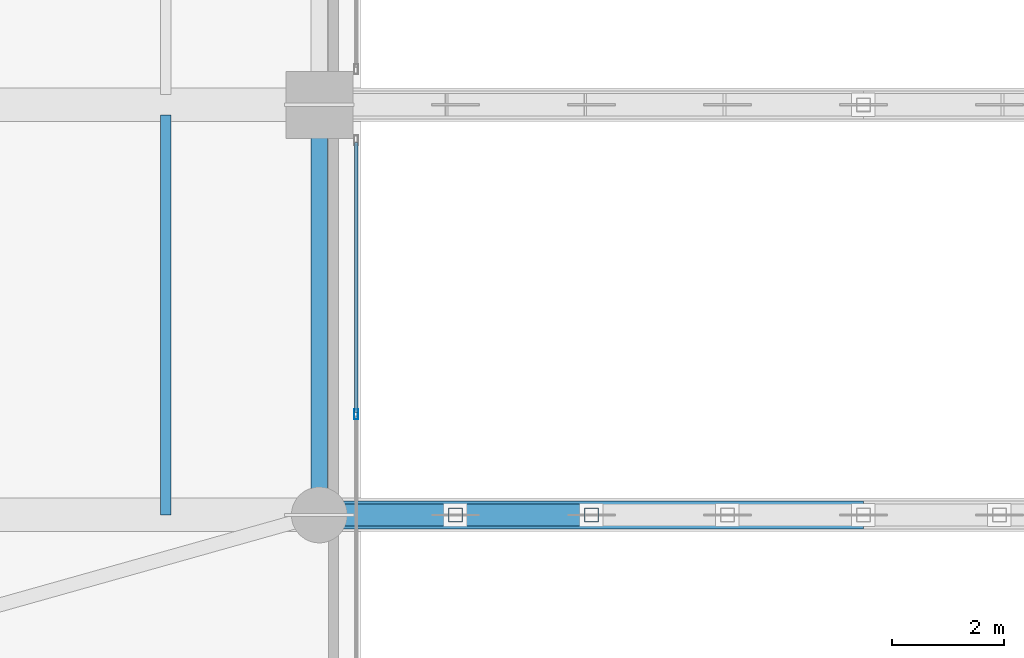
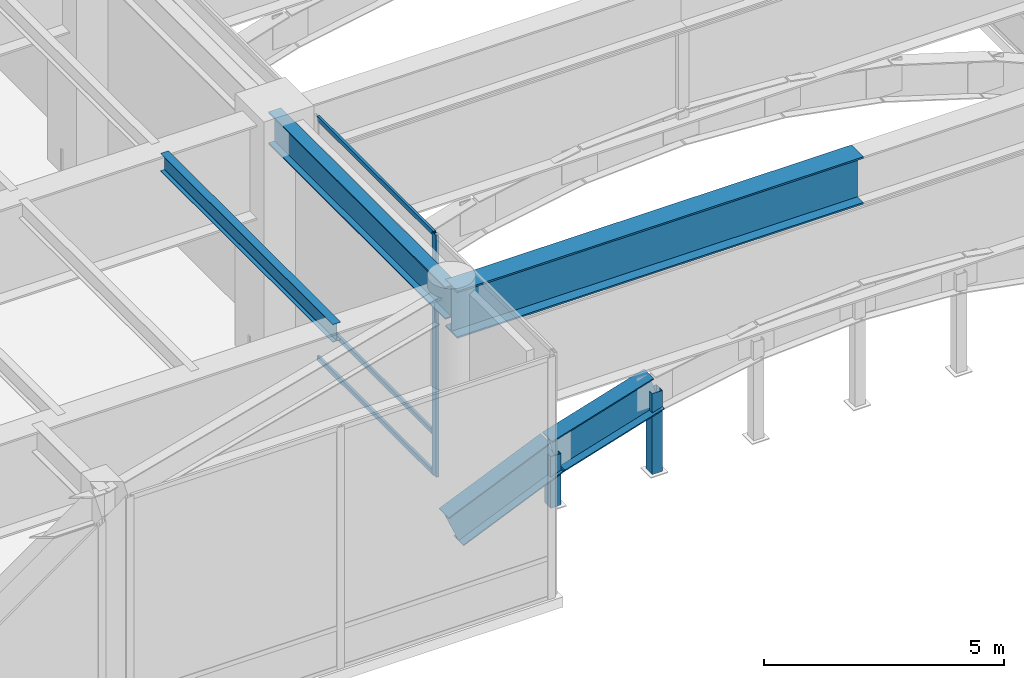
# One storey, part 8 of 50: 6 members, 5 beams, 1 element without a shape of its own.
"""IFC4 building model written with IfcOpenShell, lengths in metres."""

from ifc_helpers import new_model, si_unit, direction, frame, origin, origin_2d, place, context, subcontext, project, spatial, hollow_rectangle, i_section, extrude, source, transform, mapped, material, layer, layer_set, material_profile, profile_set, type_object, type_shapes, element, aggregate, save


model = new_model("IFC4")

# Units and contexts
model_context = context("Model", 3, precision=1e-05, world=origin(), true_north=direction((0.0, 1.0)))
body_context = subcontext(model_context, "Body", "Model", "MODEL_VIEW")
ifc_project = project(units=[si_unit("LENGTHUNIT", "METRE"), si_unit("AREAUNIT", "SQUARE_METRE"), si_unit("VOLUMEUNIT", "CUBIC_METRE"), si_unit("PLANEANGLEUNIT", "RADIAN"), si_unit("MASSUNIT", "GRAM", prefix="KILO")], contexts=[model_context])

# Site, building, storey
site_placement = place(None, origin())
site = spatial("IfcSite", under=ifc_project, at=site_placement, CompositionType="ELEMENT")
building_placement = place(site_placement, origin())
building = spatial("IfcBuilding", under=site, at=building_placement, Name="Tolvann Quenvar Hotel", CompositionType="ELEMENT")
storey_placement = place(building_placement, frame((0.0, 0.0, 16.0)))
storey = spatial("IfcBuildingStorey", under=building, at=storey_placement, Name="L03", CompositionType="ELEMENT", Elevation=16.0)

# Beams
ifc_material_1 = material(Name="Steel Grade 350", Category="steel")
ifc_material_profile_1 = material_profile(ifc_material_1, i_section(OverallWidth=0.300048828125, OverallDepth=0.81591796875, WebThickness=0.010009765625, FlangeThickness=0.028076171875, at=origin_2d()), Name="800WB192")
ifc_profile_set_1 = profile_set([ifc_material_profile_1], Name="Steel Grade 350")
beam_type_1 = type_object("IfcBeamType", Name="BM_GIRD_800WB192", PredefinedType="BEAM", material=ifc_profile_set_1)
shared_shape_1 = source(origin(), body_context, "Body", "SweptSolid", [
    extrude(i_section(OverallWidth=0.300048828125, OverallDepth=0.81591796875, WebThickness=0.010009765625, FlangeThickness=0.028076171875, at=origin_2d()), origin(), (0.0, 0.0, 1.0), 7.349853515625),
])
type_shapes(beam_type_1, [shared_shape_1])
beam_1_placement = place(storey_placement, frame((18.75, 0.85009765625, 5.73193359375), z_axis=(0.0, 1.0, 0.0), x_axis=(-1.0, 0.0, 0.0)))
element("IfcBeam", 1, at=beam_1_placement, inside=storey, type_object=beam_type_1, Name="BM-L03-NS-APW-0", PredefinedType="BEAM", context=body_context, shape_type="MappedRepresentation", body=[
    mapped(shared_shape_1, transform((0.0, 0.0, 0.0), x_axis=(1.0, 0.0, 0.0), y_axis=(0.0, 1.0, 0.0), z_axis=(0.0, 0.0, 1.0), scale=1.0)),
])
ifc_material_profile_2 = material_profile(ifc_material_1, i_section(OverallWidth=0.5, OverallDepth=1.199951171875, WebThickness=0.01611328125, FlangeThickness=0.0400390625, at=origin_2d()), Name="1200WB455")
ifc_profile_set_2 = profile_set([ifc_material_profile_2], Name="Steel Grade 350")
beam_type_2 = type_object("IfcBeamType", Name="BM_TG_1200WB455", PredefinedType="USERDEFINED", material=ifc_profile_set_2)
shared_shape_2 = source(origin(), body_context, "Body", "SweptSolid", [
    extrude(i_section(OverallWidth=0.5, OverallDepth=1.199951171875, WebThickness=0.01611328125, FlangeThickness=0.0400390625, at=origin_2d()), origin(), (0.0, 0.0, 1.0), 9.75),
])
type_shapes(beam_type_2, [shared_shape_2])
beam_2_placement = place(storey_placement, frame((18.75, 0.85009765625, 5.5400390625), z_axis=(1.0, 0.0, 0.0), x_axis=(0.0, 1.0, 0.0)))
element("IfcBeam", 2, at=beam_2_placement, inside=storey, type_object=beam_type_2, Name="TG-AUTO1-L03-PARCHS-1", ObjectType="TRANSFER GIRDER", PredefinedType="USERDEFINED", context=body_context, shape_type="MappedRepresentation", body=[
    mapped(shared_shape_2, transform((0.0, 0.0, 0.0), x_axis=(1.0, 0.0, 0.0), y_axis=(0.0, 1.0, 0.0), z_axis=(0.0, 0.0, 1.0), scale=1.0)),
])
ifc_material_profile_3 = material_profile(ifc_material_1, i_section(OverallWidth=0.18994140625, OverallDepth=0.4541015625, WebThickness=0.008544921875, FlangeThickness=0.0126953125, FilletRadius=0.011474609375, at=origin_2d()), Name="460UB67")
ifc_profile_set_3 = profile_set([ifc_material_profile_3], Name="Steel Grade 350")
beam_type_3 = type_object("IfcBeamType", Name="BM_JOIST_460UB67", PredefinedType="JOIST", material=ifc_profile_set_3)
shared_shape_3 = source(origin(), body_context, "Body", "SweptSolid", [
    extrude(i_section(OverallWidth=0.18994140625, OverallDepth=0.4541015625, WebThickness=0.008544921875, FlangeThickness=0.0126953125, FilletRadius=0.011474609375, at=origin_2d()), origin(), (0.0, 0.0, 1.0), 7.164794921875),
])
type_shapes(beam_type_3, [shared_shape_3])
beam_3_placement = place(storey_placement, frame((16.0, 0.85009765625, 5.9130859375), z_axis=(0.0, 1.0, 0.0), x_axis=(-1.0, 0.0, 0.0)))
element("IfcBeam", 3, at=beam_3_placement, inside=storey, type_object=beam_type_3, Name="BJ-L03-160-8", PredefinedType="JOIST", context=body_context, shape_type="MappedRepresentation", body=[
    mapped(shared_shape_3, transform((0.0, 0.0, 0.0), x_axis=(1.0, 0.0, 0.0), y_axis=(0.0, 1.0, 0.0), z_axis=(0.0, 0.0, 1.0), scale=1.0)),
])
ifc_material_profile_4 = material_profile(ifc_material_1, i_section(OverallWidth=0.39990234375, OverallDepth=0.916015625, WebThickness=0.011962890625, FlangeThickness=0.028076171875, at=origin_2d()), Name="900WB257")
ifc_profile_set_4 = profile_set([ifc_material_profile_4], Name="Steel Grade 350")
beam_type_4 = type_object("IfcBeamType", Name="BM_ARCH_900WB257", PredefinedType="USERDEFINED", material=ifc_profile_set_4)
shared_shape_4 = source(origin(), body_context, "Body", "SweptSolid", [
    extrude(i_section(OverallWidth=0.39990234375, OverallDepth=0.916015625, WebThickness=0.011962890625, FlangeThickness=0.028076171875, at=origin_2d()), origin(), (0.0, 0.0, 1.0), 2.654052734375),
])
beam_4_placement = place(storey_placement, frame((18.75, 0.85009765625, 0.0), z_axis=(0.918405931002, 0.0, 0.395639413987), x_axis=(0.0, 1.0, 0.0)))
element("IfcBeam", 4, at=beam_4_placement, inside=storey, type_object=beam_type_4, Name="Podium Parabolic Arch Rib F1-S1", ObjectType="ARCH RIB", PredefinedType="USERDEFINED", context=body_context, shape_type="MappedRepresentation", body=[
    mapped(shared_shape_4, transform((0.0, 0.0, 0.0), x_axis=(1.0, 0.0, 0.0), y_axis=(0.0, 1.0, 0.0), z_axis=(0.0, 0.0, 1.0), scale=1.0)),
])
shared_shape_5 = source(origin(), body_context, "Body", "SweptSolid", [
    extrude(i_section(OverallWidth=0.39990234375, OverallDepth=0.916015625, WebThickness=0.011962890625, FlangeThickness=0.028076171875, at=origin_2d()), origin(), (0.0, 0.0, 1.0), 2.55029296875),
])
type_shapes(beam_type_4, [shared_shape_4, shared_shape_5])
beam_5_placement = place(storey_placement, frame((21.1875, 0.85009765625, 1.050048828125), z_axis=(0.955779008722, 0.0, 0.294085848838), x_axis=(0.0, 1.0, 0.0)))
element("IfcBeam", 5, at=beam_5_placement, inside=storey, type_object=beam_type_4, Name="Podium Parabolic Arch Rib F1-S2", ObjectType="ARCH RIB", PredefinedType="USERDEFINED", context=body_context, shape_type="MappedRepresentation", body=[
    mapped(shared_shape_5, transform((0.0, 0.0, 0.0), x_axis=(1.0, 0.0, 0.0), y_axis=(0.0, 1.0, 0.0), z_axis=(0.0, 0.0, 1.0), scale=1.0)),
])

# Members
ifc_material_2 = material(Name="Steel Grade 450 (C450L0)", Category="steel")
ifc_material_profile_5 = material_profile(ifc_material_2, hollow_rectangle(XDim=0.25, YDim=0.25, WallThickness=0.010009765625, at=origin_2d()), Name="250x250x10SHS")
ifc_profile_set_5 = profile_set([ifc_material_profile_5], Name="Steel Grade 450 (C450L0)")
member_type_1 = type_object("IfcMemberType", Name="MEM_POST_250SHS", PredefinedType="POST", material=ifc_profile_set_5)
shared_shape_6 = source(origin(), body_context, "Body", "SweptSolid", [
    extrude(hollow_rectangle(XDim=0.25, YDim=0.25, WallThickness=0.010009765625, at=origin_2d()), origin(), (0.0, 0.0, 1.0), 1.31005859375),
])
member_1_placement = place(storey_placement, frame((21.1875, 0.85009765625, -0.260009765625), z_axis=(0.0, 0.0, 1.0), x_axis=(1.0, 0.0, 0.0)))
element("IfcMember", 6, at=member_1_placement, inside=storey, type_object=member_type_1, Name="Arch Spandrel Pedestal Post F1-B1", PredefinedType="POST", context=body_context, shape_type="MappedRepresentation", body=[
    mapped(shared_shape_6, transform((0.0, 0.0, 0.0), x_axis=(1.0, 0.0, 0.0), y_axis=(0.0, 1.0, 0.0), z_axis=(0.0, 0.0, 1.0), scale=1.0)),
])
shared_shape_7 = source(origin(), body_context, "Body", "SweptSolid", [
    extrude(hollow_rectangle(XDim=0.25, YDim=0.25, WallThickness=0.010009765625, at=origin_2d()), origin(), (0.0, 0.0, 1.0), 2.06005859375),
])
type_shapes(member_type_1, [shared_shape_6, shared_shape_7])
member_2_placement = place(storey_placement, frame((23.625, 0.85009765625, -0.260009765625), z_axis=(0.0, 0.0, 1.0), x_axis=(1.0, 0.0, 0.0)))
element("IfcMember", 7, at=member_2_placement, inside=storey, type_object=member_type_1, Name="Arch Spandrel Pedestal Post F1-B2", PredefinedType="POST", context=body_context, shape_type="MappedRepresentation", body=[
    mapped(shared_shape_7, transform((0.0, 0.0, 0.0), x_axis=(1.0, 0.0, 0.0), y_axis=(0.0, 1.0, 0.0), z_axis=(0.0, 0.0, 1.0), scale=1.0)),
])

# Curtain wall, members
ifc_material_3 = material(Name="Thermally broken anodised architectural aluminium 6063-T6 and laminated low-E glass", Category="aluminium")
ifc_layer = layer(ifc_material_3, 0.179931640625)
ifc_layer_set = layer_set([ifc_layer], Name="Thermally broken anodised architectural aluminium 6063-T6 and laminated low-E glass")
curtain_wall_type = type_object("IfcCurtainWallType", Name="CW_SYS_ARCH_01", PredefinedType="USERDEFINED", material=ifc_layer_set)
curtain_wall_placement = place(storey_placement, origin())
curtain_wall = element("IfcCurtainWall", 8, at=curtain_wall_placement, inside=storey, type_object=curtain_wall_type, Name="Curtain Wall CW-ARCH-01 (CWR-L03-E01-S1)", ObjectType="UNITISED CURTAIN WALL", PredefinedType="USERDEFINED")
ifc_material_4 = material(Name="Anodised architectural aluminium 6063-T6 framing", Category="aluminium")
ifc_material_profile_6 = material_profile(ifc_material_4, hollow_rectangle(XDim=0.070068359375, YDim=0.179931640625, WallThickness=0.00390625, at=origin_2d()), Name="180x70x4RHS")
ifc_profile_set_6 = profile_set([ifc_material_profile_6], Name="Anodised architectural aluminium 6063-T6 framing")
member_type_2 = type_object("IfcMemberType", Name="CW_MULL_180x70", PredefinedType="MULLION", material=ifc_profile_set_6)
shared_shape_8 = source(origin(), body_context, "Body", "SweptSolid", [
    extrude(hollow_rectangle(XDim=0.070068359375, YDim=0.179931640625, WallThickness=0.00390625, at=origin_2d()), origin(), (0.0, 0.0, 1.0), 6.139892578125),
])
type_shapes(member_type_2, [shared_shape_8])
member_3_placement = place(storey_placement, frame((19.409912109375, 2.653076171875, 0.0), z_axis=(0.0, 0.0, 1.0), x_axis=(-1.0, 0.0, 0.0)))
member_3 = element("IfcMember", 9, at=member_3_placement, type_object=member_type_2, Name="CW-ARCH-01 mullion 2", PredefinedType="MULLION", context=body_context, shape_type="MappedRepresentation", body=[
    mapped(shared_shape_8, transform((0.0, 0.0, 0.0), x_axis=(1.0, 0.0, 0.0), y_axis=(0.0, 1.0, 0.0), z_axis=(0.0, 0.0, 1.0), scale=1.0)),
])
ifc_material_profile_7 = material_profile(ifc_material_4, hollow_rectangle(XDim=0.06005859375, YDim=0.1201171875, WallThickness=0.00341796875, at=origin_2d()), Name="120x60x3.5RHS")
ifc_profile_set_7 = profile_set([ifc_material_profile_7], Name="Anodised architectural aluminium 6063-T6 framing")
member_type_3 = type_object("IfcMemberType", Name="CW_TRAN_120x60", PredefinedType="USERDEFINED", material=ifc_profile_set_7)
shared_shape_9 = source(origin(), body_context, "Body", "SweptSolid", [
    extrude(hollow_rectangle(XDim=0.06005859375, YDim=0.1201171875, WallThickness=0.00341796875, at=origin_2d()), origin(), (0.0, 0.0, 1.0), 4.837890625),
])
type_shapes(member_type_3, [shared_shape_9])
member_4_placement = place(storey_placement, frame((19.409912109375, 2.68798828125, 0.030029296875), z_axis=(0.0, 1.0, 0.0), x_axis=(-1.0, 0.0, 0.0)))
member_4 = element("IfcMember", 10, at=member_4_placement, type_object=member_type_3, Name="CW-ARCH-01 transom 2.1", ObjectType="TRANSOM", PredefinedType="USERDEFINED", context=body_context, shape_type="MappedRepresentation", body=[
    mapped(shared_shape_9, transform((0.0, 0.0, 0.0), x_axis=(1.0, 0.0, 0.0), y_axis=(0.0, 1.0, 0.0), z_axis=(0.0, 0.0, 1.0), scale=1.0)),
])
member_5_placement = place(storey_placement, frame((19.409912109375, 2.68798828125, 1.050048828125), z_axis=(0.0, 1.0, 0.0), x_axis=(-1.0, 0.0, 0.0)))
member_5 = element("IfcMember", 11, at=member_5_placement, type_object=member_type_3, Name="CW-ARCH-01 transom 2.2", ObjectType="TRANSOM", PredefinedType="USERDEFINED", context=body_context, shape_type="MappedRepresentation", body=[
    mapped(shared_shape_9, transform((0.0, 0.0, 0.0), x_axis=(1.0, 0.0, 0.0), y_axis=(0.0, 1.0, 0.0), z_axis=(0.0, 0.0, 1.0), scale=1.0)),
])
member_6_placement = place(storey_placement, frame((19.409912109375, 2.68798828125, 6.110107421875), z_axis=(0.0, 1.0, 0.0), x_axis=(-1.0, 0.0, 0.0)))
member_6 = element("IfcMember", 12, at=member_6_placement, type_object=member_type_3, Name="CW-ARCH-01 transom 2.3", ObjectType="TRANSOM", PredefinedType="USERDEFINED", context=body_context, shape_type="MappedRepresentation", body=[
    mapped(shared_shape_9, transform((0.0, 0.0, 0.0), x_axis=(1.0, 0.0, 0.0), y_axis=(0.0, 1.0, 0.0), z_axis=(0.0, 0.0, 1.0), scale=1.0)),
])
aggregate(curtain_wall, [member_3, member_4, member_5, member_6])

save(model, "model.ifc")
